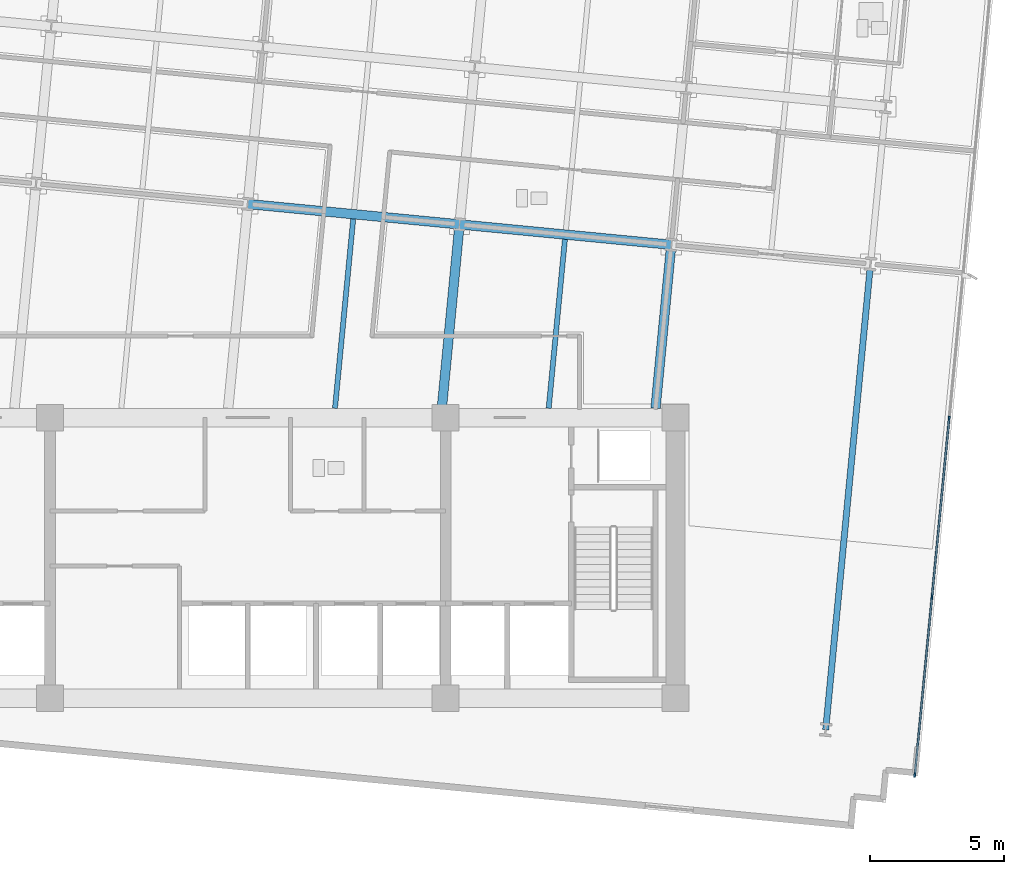
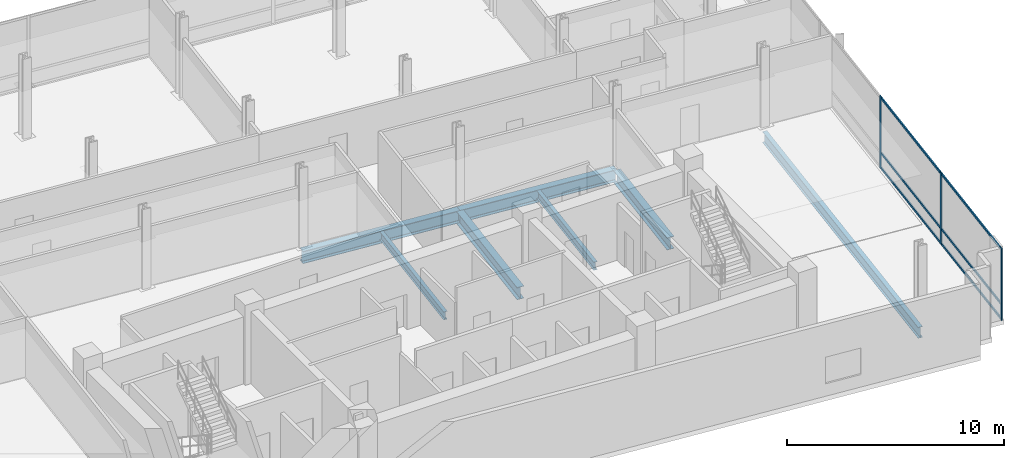
# One storey, part 6 of 17: 9 members, 7 beams, 1 element without a shape of its own.
"""IFC4 building model written with IfcOpenShell, lengths in metres."""

from ifc_helpers import new_model, si_unit, direction, frame, origin, origin_2d, place, context, subcontext, project, spatial, rectangle, i_section, extrude, material, material_profile, profile_set, type_object, element, aggregate, save


model = new_model("IFC4")

# Units and contexts
model_context = context("Model", 3, precision=1e-05, world=origin(), true_north=direction((0.0, 1.0)))
body_context = subcontext(model_context, "Body", "Model", "MODEL_VIEW")
ifc_project = project(units=[si_unit("LENGTHUNIT", "METRE"), si_unit("AREAUNIT", "SQUARE_METRE"), si_unit("VOLUMEUNIT", "CUBIC_METRE"), si_unit("PLANEANGLEUNIT", "RADIAN"), si_unit("MASSUNIT", "GRAM", prefix="KILO")], contexts=[model_context])

# Site, building, storey
site_placement = place(None, origin())
site = spatial("IfcSite", under=ifc_project, at=site_placement, CompositionType="ELEMENT")
building_placement = place(site_placement, origin())
building = spatial("IfcBuilding", under=site, at=building_placement, Name="Solmavex Isthmus Hotel", CompositionType="ELEMENT")
storey_placement = place(building_placement, frame((0.0, 0.0, 181.800048828125)))
storey = spatial("IfcBuildingStorey", under=building, at=storey_placement, Name="L49", CompositionType="ELEMENT", Elevation=181.800048828125)

# Beams
ifc_material_1 = material(Name="Steel ASTM A992 Grade 50", Category="steel")
ifc_material_profile_1 = material_profile(ifc_material_1, i_section(OverallWidth=0.354736328125, OverallDepth=0.695556640625, WebThickness=0.015380859375, FlangeThickness=0.02490234375, FilletRadius=0.017822265625, at=origin_2d()), Name="W27X146")
ifc_profile_set_1 = profile_set([ifc_material_profile_1], Name="Steel ASTM A992 Grade 50")
beam_type_1 = type_object("IfcBeamType", Name="BM-BG-W27X146", PredefinedType="BEAM", material=ifc_profile_set_1)
for number, where, z_axis, x_axis, name in (
    (1, (0.001220703125, 5.490234375, -0.60791015625), (0.995397440011, -0.095832856685, 0.0), (0.095832856685, 0.995397440011, 0.0), "Floor Girder L49-UG06"),
    (2, (7.920654296875, 4.727783203125, -0.60791015625), (0.995397440011, -0.095832856685, 0.0), (0.095832856685, 0.995397440011, 0.0), "Floor Girder L49-UG07"),
):
    element("IfcBeam", number, at=place(storey_placement, frame(where, z_axis=z_axis, x_axis=x_axis)), inside=storey, type_object=beam_type_1, Name=name, PredefinedType="BEAM", context=body_context, shape_type="SweptSolid", body=[
        extrude(i_section(OverallWidth=0.354736328125, OverallDepth=0.695556640625, WebThickness=0.015380859375, FlangeThickness=0.02490234375, FilletRadius=0.017822265625, at=origin_2d()), origin(), (0.0, 0.0, 1.0), 7.9560546875),
    ])
beam_1_placement = place(storey_placement, frame((7.25830078125, -2.14990234375, -0.60791015625), z_axis=(0.095847843924, 0.995395996986, 0.0), x_axis=(-0.995395996986, 0.095847843924, 0.0)))
element("IfcBeam", 3, at=beam_1_placement, inside=storey, type_object=beam_type_1, Name="Floor Beam L49-VG33", PredefinedType="BEAM", context=body_context, shape_type="SweptSolid", body=[
    extrude(i_section(OverallWidth=0.354736328125, OverallDepth=0.695556640625, WebThickness=0.015380859375, FlangeThickness=0.02490234375, FilletRadius=0.017822265625, at=origin_2d()), origin(), (0.0, 0.0, 1.0), 6.732177734375),
])
beam_2_placement = place(storey_placement, frame((15.251220703125, -2.14990234375, -0.60791015625), z_axis=(0.095840286514, 0.995396724669, 0.0), x_axis=(-0.995396724669, 0.095840286514, 0.0)))
element("IfcBeam", 4, at=beam_2_placement, inside=storey, type_object=beam_type_1, Name="Floor Beam L49-VG36", PredefinedType="BEAM", context=body_context, shape_type="SweptSolid", body=[
    extrude(i_section(OverallWidth=0.354736328125, OverallDepth=0.695556640625, WebThickness=0.015380859375, FlangeThickness=0.02490234375, FilletRadius=0.017822265625, at=origin_2d()), origin(), (0.0, 0.0, 1.0), 5.9658203125),
])
ifc_material_profile_2 = material_profile(ifc_material_1, i_section(OverallWidth=0.1904296875, OverallDepth=0.456787109375, WebThickness=0.009033203125, FlangeThickness=0.014404296875, FilletRadius=0.0126953125, at=origin_2d()), Name="W18X50")
ifc_profile_set_2 = profile_set([ifc_material_profile_2], Name="Steel ASTM A992 Grade 50")
beam_type_2 = type_object("IfcBeamType", Name="BM-BJ-W18X50", PredefinedType="JOIST", material=ifc_profile_set_2)
beam_3_placement = place(storey_placement, frame((3.261962890625, -2.14990234375, -0.488525390625), z_axis=(0.095837287001, 0.995397013468, 0.0), x_axis=(-0.995397013468, 0.095837287001, 0.0)))
element("IfcBeam", 5, at=beam_3_placement, inside=storey, type_object=beam_type_2, Name="Secondary Floor Joist L49-J10", PredefinedType="JOIST", context=body_context, shape_type="SweptSolid", body=[
    extrude(i_section(OverallWidth=0.1904296875, OverallDepth=0.456787109375, WebThickness=0.009033203125, FlangeThickness=0.014404296875, FilletRadius=0.0126953125, at=origin_2d()), origin(), (0.0, 0.0, 1.0), 7.114990234375),
])
beam_4_placement = place(storey_placement, frame((11.2548828125, -2.14990234375, -0.488525390625), z_axis=(0.095825243261, 0.995398172971, 0.0), x_axis=(-0.995398172971, 0.095825243261, 0.0)))
element("IfcBeam", 6, at=beam_4_placement, inside=storey, type_object=beam_type_2, Name="Secondary Floor Joist L49-J13", PredefinedType="JOIST", context=body_context, shape_type="SweptSolid", body=[
    extrude(i_section(OverallWidth=0.1904296875, OverallDepth=0.456787109375, WebThickness=0.009033203125, FlangeThickness=0.014404296875, FilletRadius=0.0126953125, at=origin_2d()), origin(), (0.0, 0.0, 1.0), 6.34912109375),
])
ifc_material_profile_3 = material_profile(ifc_material_1, i_section(OverallWidth=0.230224609375, OverallDepth=0.617431640625, WebThickness=0.01318359375, FlangeThickness=0.022216796875, FilletRadius=0.01513671875, at=origin_2d()), Name="W24X94")
ifc_profile_set_3 = profile_set([ifc_material_profile_3], Name="Steel ASTM A992 Grade 50")
beam_type_3 = type_object("IfcBeamType", Name="BM-SP-W24X94", PredefinedType="SPANDREL", material=ifc_profile_set_3)
beam_5_placement = place(storey_placement, frame((21.6162109375, -14.171875, -0.56884765625), z_axis=(0.095851245948, 0.995395669395, 0.0), x_axis=(-0.995395669395, 0.095851245948, 0.0)))
element("IfcBeam", 7, at=beam_5_placement, inside=storey, type_object=beam_type_3, Name="Floor Beam L49-VG39", PredefinedType="SPANDREL", context=body_context, shape_type="SweptSolid", body=[
    extrude(i_section(OverallWidth=0.230224609375, OverallDepth=0.617431640625, WebThickness=0.01318359375, FlangeThickness=0.022216796875, FilletRadius=0.01513671875, at=origin_2d()), origin(), (0.0, 0.0, 1.0), 17.32275390625),
])

# Curtain wall, members
ifc_material_2 = material(Name="Aluminium alloy 6063-T6", Category="aluminium")
curtain_wall_type = type_object("IfcCurtainWallType", Name="CW-SYS-05", PredefinedType="NOTDEFINED", material=ifc_material_2)
curtain_wall_placement = place(storey_placement, origin())
curtain_wall = element("IfcCurtainWall", 8, at=curtain_wall_placement, inside=storey, type_object=curtain_wall_type, Name="Stick Curtain Wall CWL-L49-E1", PredefinedType="NOTDEFINED")
ifc_material_profile_4 = material_profile(ifc_material_2, rectangle(XDim=0.06494140625, YDim=0.159912109375, at=origin_2d()), Name="CWM-65X160")
ifc_profile_set_4 = profile_set([ifc_material_profile_4], Name="Aluminium alloy 6063-T6")
member_type_1 = type_object("IfcMemberType", Name="CW-SYS-05-MUL", PredefinedType="MULLION", material=ifc_profile_set_4)
member_1_placement = place(storey_placement, frame((24.94921875, -15.86669921875, 0.0), z_axis=(0.0, 0.0, 1.0), x_axis=(-0.995396190038, 0.09584583902, 0.0)))
member_1 = element("IfcMember", 9, at=member_1_placement, type_object=member_type_1, Name="CW-05 mullion 1", PredefinedType="MULLION", context=body_context, shape_type="SweptSolid", body=[
    extrude(rectangle(XDim=0.06494140625, YDim=0.159912109375, at=origin_2d()), origin(), (0.0, 0.0, 1.0), 4.050048828125),
])
member_2_placement = place(storey_placement, frame((25.590087890625, -9.2099609375, 0.0), z_axis=(0.0, 0.0, 1.0), x_axis=(-0.995396190038, 0.09584583902, 0.0)))
member_2 = element("IfcMember", 10, at=member_2_placement, type_object=member_type_1, Name="CW-05 mullion 2", PredefinedType="MULLION", context=body_context, shape_type="SweptSolid", body=[
    extrude(rectangle(XDim=0.06494140625, YDim=0.159912109375, at=origin_2d()), origin(), (0.0, 0.0, 1.0), 4.050048828125),
])
member_3_placement = place(storey_placement, frame((26.234130859375, -2.520751953125, 0.0), z_axis=(0.0, 0.0, 1.0), x_axis=(-0.995396190038, 0.09584583902, 0.0)))
member_3 = element("IfcMember", 11, at=member_3_placement, type_object=member_type_1, Name="CW-05 mullion 3", PredefinedType="MULLION", context=body_context, shape_type="SweptSolid", body=[
    extrude(rectangle(XDim=0.06494140625, YDim=0.159912109375, at=origin_2d()), origin(), (0.0, 0.0, 1.0), 4.050048828125),
])
ifc_material_profile_5 = material_profile(ifc_material_2, rectangle(XDim=0.06494140625, YDim=0.125, at=origin_2d()), Name="CWT-65X125")
ifc_profile_set_5 = profile_set([ifc_material_profile_5], Name="Aluminium alloy 6063-T6")
member_type_2 = type_object("IfcMemberType", Name="CW-SYS-05-TRN", PredefinedType="USERDEFINED", material=ifc_profile_set_5)
member_4_placement = place(storey_placement, frame((24.9521484375, -15.834228515625, 0.0625), z_axis=(0.095849383604, 0.995395848727, 0.0), x_axis=(-0.995395848727, 0.095849383604, 0.0)))
member_4 = element("IfcMember", 12, at=member_4_placement, type_object=member_type_2, Name="CW-05 transom 1.1", ObjectType="TRANSOM", PredefinedType="USERDEFINED", context=body_context, shape_type="SweptSolid", body=[
    extrude(rectangle(XDim=0.06494140625, YDim=0.125, at=origin_2d()), origin(), (0.0, 0.0, 1.0), 6.62255859375),
])
member_5_placement = place(storey_placement, frame((24.9521484375, -15.834228515625, 0.89990234375), z_axis=(0.095849383604, 0.995395848727, 0.0), x_axis=(-0.995395848727, 0.095849383604, 0.0)))
member_5 = element("IfcMember", 13, at=member_5_placement, type_object=member_type_2, Name="CW-05 transom 1.2", ObjectType="TRANSOM", PredefinedType="USERDEFINED", context=body_context, shape_type="SweptSolid", body=[
    extrude(rectangle(XDim=0.06494140625, YDim=0.125, at=origin_2d()), origin(), (0.0, 0.0, 1.0), 6.62255859375),
])
member_6_placement = place(storey_placement, frame((24.9521484375, -15.834228515625, 3.987548828125), z_axis=(0.095849383604, 0.995395848727, 0.0), x_axis=(-0.995395848727, 0.095849383604, 0.0)))
member_6 = element("IfcMember", 14, at=member_6_placement, type_object=member_type_2, Name="CW-05 transom 1.3", ObjectType="TRANSOM", PredefinedType="USERDEFINED", context=body_context, shape_type="SweptSolid", body=[
    extrude(rectangle(XDim=0.06494140625, YDim=0.125, at=origin_2d()), origin(), (0.0, 0.0, 1.0), 6.62255859375),
])
member_7_placement = place(storey_placement, frame((25.59326171875, -9.177490234375, 0.0625), z_axis=(0.095859901454, 0.995394835878, 0.0), x_axis=(-0.995394835878, 0.095859901454, 0.0)))
member_7 = element("IfcMember", 15, at=member_7_placement, type_object=member_type_2, Name="CW-05 transom 2.1", ObjectType="TRANSOM", PredefinedType="USERDEFINED", context=body_context, shape_type="SweptSolid", body=[
    extrude(rectangle(XDim=0.06494140625, YDim=0.125, at=origin_2d()), origin(), (0.0, 0.0, 1.0), 6.655029296875),
])
member_8_placement = place(storey_placement, frame((25.59326171875, -9.177490234375, 0.89990234375), z_axis=(0.095859901454, 0.995394835878, 0.0), x_axis=(-0.995394835878, 0.095859901454, 0.0)))
member_8 = element("IfcMember", 16, at=member_8_placement, type_object=member_type_2, Name="CW-05 transom 2.2", ObjectType="TRANSOM", PredefinedType="USERDEFINED", context=body_context, shape_type="SweptSolid", body=[
    extrude(rectangle(XDim=0.06494140625, YDim=0.125, at=origin_2d()), origin(), (0.0, 0.0, 1.0), 6.655029296875),
])
member_9_placement = place(storey_placement, frame((25.59326171875, -9.177490234375, 3.987548828125), z_axis=(0.095859901454, 0.995394835878, 0.0), x_axis=(-0.995394835878, 0.095859901454, 0.0)))
member_9 = element("IfcMember", 17, at=member_9_placement, type_object=member_type_2, Name="CW-05 transom 2.3", ObjectType="TRANSOM", PredefinedType="USERDEFINED", context=body_context, shape_type="SweptSolid", body=[
    extrude(rectangle(XDim=0.06494140625, YDim=0.125, at=origin_2d()), origin(), (0.0, 0.0, 1.0), 6.655029296875),
])
aggregate(curtain_wall, [member_1, member_2, member_3, member_4, member_5, member_6, member_7, member_8, member_9])

save(model, "model.ifc")
